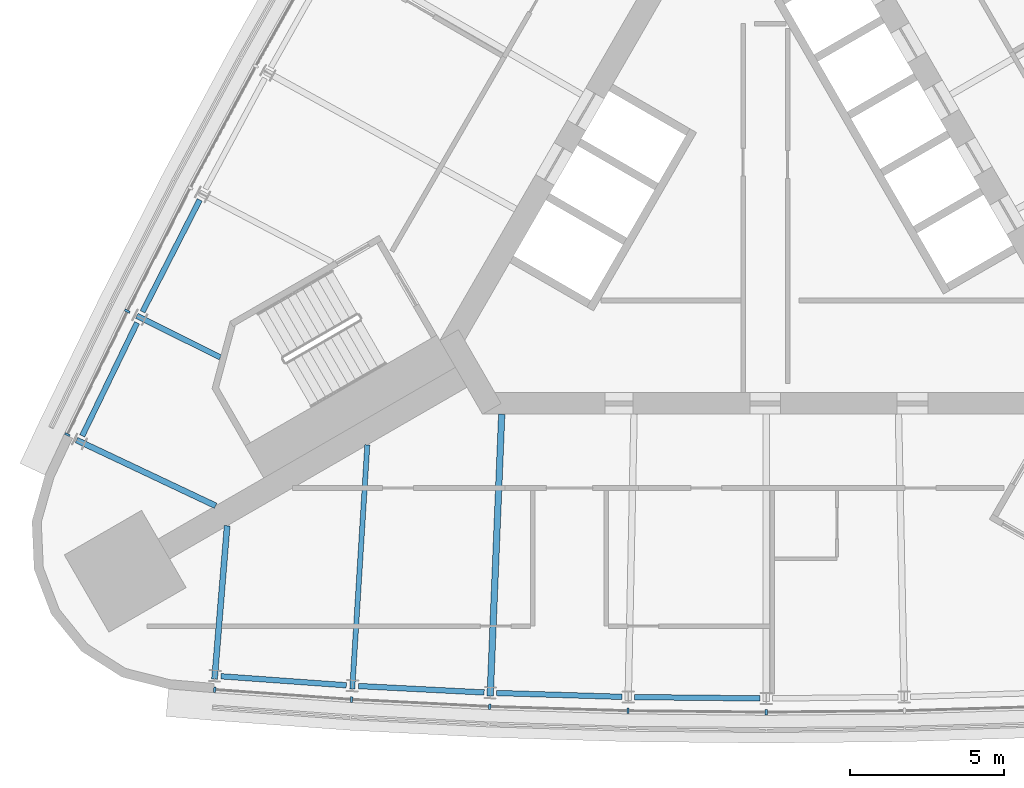
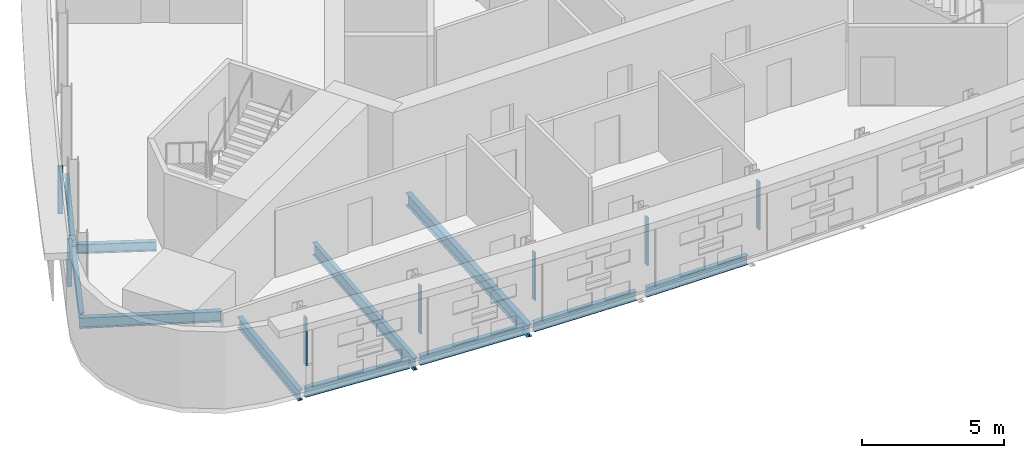
# One storey, part 2 of 13: 11 beams, 7 members, 2 elements without a shape of their own.
"""IFC4 building model written with IfcOpenShell, lengths in metres."""

from ifc_helpers import new_model, si_unit, direction, frame, origin, origin_2d, place, context, subcontext, project, spatial, rectangle, i_section, extrude, material, material_profile, profile_set, type_object, element, aggregate, save


model = new_model("IFC4")

# Units and contexts
model_context = context("Model", 3, precision=1e-05, world=origin(), true_north=direction((0.0, 1.0)))
body_context = subcontext(model_context, "Body", "Model", "MODEL_VIEW")
ifc_project = project(units=[si_unit("LENGTHUNIT", "METRE"), si_unit("AREAUNIT", "SQUARE_METRE"), si_unit("VOLUMEUNIT", "CUBIC_METRE"), si_unit("PLANEANGLEUNIT", "RADIAN"), si_unit("MASSUNIT", "GRAM", prefix="KILO")], contexts=[model_context])

# Site, building, storey
site_placement = place(None, origin())
site = spatial("IfcSite", under=ifc_project, at=site_placement, CompositionType="ELEMENT")
building_placement = place(site_placement, origin())
building = spatial("IfcBuilding", under=site, at=building_placement, Name="Noor Cloister Tower", CompositionType="ELEMENT")
storey_placement = place(building_placement, frame((0.0, 0.0, 143.699951171875)))
storey = spatial("IfcBuildingStorey", under=building, at=storey_placement, Name="L36", CompositionType="ELEMENT", Elevation=143.699951171875)

# Curtain wall, members
ifc_material_1 = material(Name="Aluminium 6063-T6 anodised", Category="aluminium")
curtain_wall_type = type_object("IfcCurtainWallType", Name="Ribbon curtain wall, upper tower CW5", PredefinedType="NOTDEFINED", material=ifc_material_1)
curtain_wall_1_placement = place(storey_placement, origin())
curtain_wall_1 = element("IfcCurtainWall", 1, at=curtain_wall_1_placement, inside=storey, type_object=curtain_wall_type, Name="CW5 L36 NW run 1", PredefinedType="NOTDEFINED")
ifc_material_2 = material(Name="Aluminium 6063-T6 anodised", Category="aluminium")
ifc_material_profile_1 = material_profile(ifc_material_2, rectangle(XDim=0.179931640625, YDim=0.070068359375, at=origin_2d()), Name="180 x 70 mullion")
ifc_profile_set_1 = profile_set([ifc_material_profile_1], Name="Aluminium 6063-T6 anodised")
member_type = type_object("IfcMemberType", Name="Mullion CW5 70 x 180", PredefinedType="MULLION", material=ifc_profile_set_1)
member_1_placement = place(storey_placement, frame((-20.77880859375, -3.57470703125, 1.10009765625), z_axis=(0.0, 0.0, 1.0), x_axis=(0.895123310211, -0.445818639714, 0.0)))
member_1 = element("IfcMember", 2, at=member_1_placement, type_object=member_type, Name="CW5 mullion 8", PredefinedType="MULLION", context=body_context, shape_type="SweptSolid", body=[
    extrude(rectangle(XDim=0.179931640625, YDim=0.070068359375, at=origin_2d()), origin(), (0.0, 0.0, 1.0), 2.050048828125),
])
member_2_placement = place(storey_placement, frame((-22.72802734375, -7.5908203125, 1.10009765625), z_axis=(0.0, 0.0, 1.0), x_axis=(0.899646590882, -0.436618840081, 0.0)))
member_2 = element("IfcMember", 3, at=member_2_placement, type_object=member_type, Name="CW5 mullion 9", PredefinedType="MULLION", context=body_context, shape_type="SweptSolid", body=[
    extrude(rectangle(XDim=0.179931640625, YDim=0.070068359375, at=origin_2d()), origin(), (0.0, 0.0, 1.0), 2.050048828125),
])
aggregate(curtain_wall_1, [member_1, member_2])

curtain_wall_2_placement = place(storey_placement, origin())
curtain_wall_2 = element("IfcCurtainWall", 4, at=curtain_wall_2_placement, inside=storey, type_object=curtain_wall_type, Name="CW5 L36 S run 2", PredefinedType="NOTDEFINED")
member_3_placement = place(storey_placement, frame((-17.937744140625, -15.8876953125, 1.10009765625), z_axis=(0.0, 0.0, 1.0), x_axis=(0.07170028816, 0.997426222173, 0.0)))
member_3 = element("IfcMember", 5, at=member_3_placement, type_object=member_type, Name="CW5 mullion 1", PredefinedType="MULLION", context=body_context, shape_type="SweptSolid", body=[
    extrude(rectangle(XDim=0.179931640625, YDim=0.070068359375, at=origin_2d()), origin(), (0.0, 0.0, 1.0), 2.050048828125),
])
member_4_placement = place(storey_placement, frame((-13.4853515625, -16.20751953125, 1.10009765625), z_axis=(0.0, 0.0, 1.0), x_axis=(0.061471387632, 0.99810884602, 0.0)))
member_4 = element("IfcMember", 6, at=member_4_placement, type_object=member_type, Name="CW5 mullion 2", PredefinedType="MULLION", context=body_context, shape_type="SweptSolid", body=[
    extrude(rectangle(XDim=0.179931640625, YDim=0.070068359375, at=origin_2d()), origin(), (0.0, 0.0, 1.0), 2.050048828125),
])
member_5_placement = place(storey_placement, frame((-8.993408203125, -16.43798828125, 1.10009765625), z_axis=(0.0, 0.0, 1.0), x_axis=(0.040995281015, 0.999159340113, 0.0)))
member_5 = element("IfcMember", 7, at=member_5_placement, type_object=member_type, Name="CW5 mullion 3", PredefinedType="MULLION", context=body_context, shape_type="SweptSolid", body=[
    extrude(rectangle(XDim=0.179931640625, YDim=0.070068359375, at=origin_2d()), origin(), (0.0, 0.0, 1.0), 2.050048828125),
])
member_6_placement = place(storey_placement, frame((-4.49755859375, -16.576416015625, 1.10009765625), z_axis=(0.0, 0.0, 1.0), x_axis=(0.020501958477, 0.99978981276, 0.0)))
member_6 = element("IfcMember", 8, at=member_6_placement, type_object=member_type, Name="CW5 mullion 4", PredefinedType="MULLION", context=body_context, shape_type="SweptSolid", body=[
    extrude(rectangle(XDim=0.179931640625, YDim=0.070068359375, at=origin_2d()), origin(), (0.0, 0.0, 1.0), 2.050048828125),
])
member_7_placement = place(storey_placement, frame((0.0, -16.62255859375, 1.10009765625), z_axis=(0.0, 0.0, 1.0), x_axis=(0.0, 1.0, 0.0)))
member_7 = element("IfcMember", 9, at=member_7_placement, type_object=member_type, Name="CW5 mullion 5", PredefinedType="MULLION", context=body_context, shape_type="SweptSolid", body=[
    extrude(rectangle(XDim=0.179931640625, YDim=0.070068359375, at=origin_2d()), origin(), (0.0, 0.0, 1.0), 2.050048828125),
])
aggregate(curtain_wall_2, [member_3, member_4, member_5, member_6, member_7])

# Beams
ifc_material_3 = material(Name="Steel ASTM A992 Gr 50", Category="steel")
ifc_material_profile_2 = material_profile(ifc_material_3, i_section(OverallWidth=0.177978515625, OverallDepth=0.406005859375, WebThickness=0.0078125, FlangeThickness=0.0126953125, FilletRadius=0.01025390625, at=origin_2d()), Name="W410x60")
ifc_profile_set_2 = profile_set([ifc_material_profile_2], Name="Steel ASTM A992 Gr 50")
beam_type_1 = type_object("IfcBeamType", Name="Radial beam W410x60", PredefinedType="BEAM", material=ifc_profile_set_2)
beam_1_placement = place(storey_placement, frame((-20.471923828125, -3.727783203125, -0.40283203125), z_axis=(0.895133560112, -0.445798059172, 0.0), x_axis=(0.445798059172, 0.895133560112, 0.0)))
element("IfcBeam", 10, at=beam_1_placement, inside=storey, type_object=beam_type_1, Name="Radial beam NW 08 L36", PredefinedType="BEAM", context=body_context, shape_type="SweptSolid", body=[
    extrude(i_section(OverallWidth=0.177978515625, OverallDepth=0.406005859375, WebThickness=0.0078125, FlangeThickness=0.0126953125, FilletRadius=0.01025390625, at=origin_2d()), origin(), (0.0, 0.0, 1.0), 3.03662109375),
])
ifc_material_4 = material(Name="Steel ASTM A992 Gr 50", Category="steel")
ifc_material_profile_3 = material_profile(ifc_material_4, i_section(OverallWidth=0.19091796875, OverallDepth=0.45703125, WebThickness=0.009033203125, FlangeThickness=0.014404296875, FilletRadius=0.01025390625, at=origin_2d()), Name="W460x74")
ifc_profile_set_3 = profile_set([ifc_material_profile_3], Name="Steel ASTM A992 Gr 50")
beam_type_2 = type_object("IfcBeamType", Name="Radial beam W460x74", PredefinedType="BEAM", material=ifc_profile_set_3)
for number, where, z_axis, x_axis, name in (
    (11, (-22.4326171875, -7.767822265625, -0.428466796875), (0.90406541137, -0.427394117841, 0.0), (0.427394117841, 0.90406541137, 0.0), "Radial beam NW 09 L36"),
    (12, (-17.943603515625, -15.543212890625, -0.428466796875), (0.081918876105, 0.996639000711, 0.0), (-0.996639000711, 0.081918876105, 0.0), "Radial beam S 01 L36"),
):
    element("IfcBeam", number, at=place(storey_placement, frame(where, z_axis=z_axis, x_axis=x_axis)), inside=storey, type_object=beam_type_2, Name=name, PredefinedType="BEAM", context=body_context, shape_type="SweptSolid", body=[
        extrude(i_section(OverallWidth=0.19091796875, OverallDepth=0.45703125, WebThickness=0.009033203125, FlangeThickness=0.014404296875, FilletRadius=0.01025390625, at=origin_2d()), origin(), (0.0, 0.0, 1.0), 5.00390625),
    ])
ifc_material_5 = material(Name="Steel ASTM A992 Gr 50", Category="steel")
ifc_material_profile_4 = material_profile(ifc_material_5, i_section(OverallWidth=0.166015625, OverallDepth=0.528076171875, WebThickness=0.009765625, FlangeThickness=0.013671875, FilletRadius=0.0126953125, at=origin_2d()), Name="W530x74")
ifc_profile_set_4 = profile_set([ifc_material_profile_4], Name="Steel ASTM A992 Gr 50")
beam_type_3 = type_object("IfcBeamType", Name="Radial beam W530x74", PredefinedType="BEAM", material=ifc_profile_set_4)
beam_2_placement = place(storey_placement, frame((-13.46435546875, -15.865234375, -0.4638671875), z_axis=(0.061495638374, 0.998107352173, 0.0), x_axis=(-0.998107352173, 0.061495638374, 0.0)))
element("IfcBeam", 13, at=beam_2_placement, inside=storey, type_object=beam_type_3, Name="Radial beam S 02 L36", PredefinedType="BEAM", context=body_context, shape_type="SweptSolid", body=[
    extrude(i_section(OverallWidth=0.166015625, OverallDepth=0.528076171875, WebThickness=0.009765625, FlangeThickness=0.013671875, FilletRadius=0.0126953125, at=origin_2d()), origin(), (0.0, 0.0, 1.0), 7.9560546875),
])
ifc_material_6 = material(Name="Steel ASTM A992 Gr 50", Category="steel")
ifc_material_profile_5 = material_profile(ifc_material_6, i_section(OverallWidth=0.208984375, OverallDepth=0.532958984375, WebThickness=0.01025390625, FlangeThickness=0.015625, FilletRadius=0.0126953125, at=origin_2d()), Name="W530x92")
ifc_profile_set_5 = profile_set([ifc_material_profile_5], Name="Steel ASTM A992 Gr 50")
beam_type_4 = type_object("IfcBeamType", Name="Radial beam W530x92", PredefinedType="BEAM", material=ifc_profile_set_5)
beam_3_placement = place(storey_placement, frame((-8.979248046875, -16.095458984375, -0.466552734375), z_axis=(0.040978626219, 0.999160023316, 0.0), x_axis=(-0.999160023316, 0.040978626219, 0.0)))
element("IfcBeam", 14, at=beam_3_placement, inside=storey, type_object=beam_type_4, Name="Radial beam S 03 L36", PredefinedType="BEAM", context=body_context, shape_type="SweptSolid", body=[
    extrude(i_section(OverallWidth=0.208984375, OverallDepth=0.532958984375, WebThickness=0.01025390625, FlangeThickness=0.015625, FilletRadius=0.0126953125, at=origin_2d()), origin(), (0.0, 0.0, 1.0), 9.175048828125),
])
ifc_material_7 = material(Name="Steel ASTM A992 Gr 50", Category="steel")
ifc_material_profile_6 = material_profile(ifc_material_7, i_section(OverallWidth=0.177978515625, OverallDepth=0.406005859375, WebThickness=0.0078125, FlangeThickness=0.0126953125, FilletRadius=0.01025390625, at=origin_2d()), Name="W410x60")
ifc_profile_set_6 = profile_set([ifc_material_profile_6], Name="Steel ASTM A992 Gr 50")
beam_type_5 = type_object("IfcBeamType", Name="Spandrel beam W410x60", PredefinedType="SPANDREL", material=ifc_profile_set_6)
beam_4_placement = place(storey_placement, frame((-18.424560546875, 0.0439453125, -0.40283203125), z_axis=(-0.455004823402, -0.890488972801, 0.0), x_axis=(0.890488972801, -0.455004823402, 0.0)))
element("IfcBeam", 15, at=beam_4_placement, inside=storey, type_object=beam_type_5, Name="Spandrel beam NW 07 L36", PredefinedType="SPANDREL", context=body_context, shape_type="SweptSolid", body=[
    extrude(i_section(OverallWidth=0.177978515625, OverallDepth=0.406005859375, WebThickness=0.0078125, FlangeThickness=0.0126953125, FilletRadius=0.01025390625, at=origin_2d()), origin(), (0.0, 0.0, 1.0), 4.089599609375),
])
beam_5_placement = place(storey_placement, frame((-20.463134765625, -3.954833984375, -0.40283203125), z_axis=(-0.436604481066, -0.899653559495, 0.0), x_axis=(0.899653559495, -0.436604481066, 0.0)))
element("IfcBeam", 16, at=beam_5_placement, inside=storey, type_object=beam_type_5, Name="Spandrel beam NW 08 L36", PredefinedType="SPANDREL", context=body_context, shape_type="SweptSolid", body=[
    extrude(i_section(OverallWidth=0.177978515625, OverallDepth=0.406005859375, WebThickness=0.0078125, FlangeThickness=0.0126953125, FilletRadius=0.01025390625, at=origin_2d()), origin(), (0.0, 0.0, 1.0), 4.08984375),
])
beam_6_placement = place(storey_placement, frame((-17.73583984375, -15.450927734375, -0.40283203125), z_axis=(0.997426476939, -0.071696744003, 0.0), x_axis=(0.071696744003, 0.997426476939, 0.0)))
element("IfcBeam", 17, at=beam_6_placement, inside=storey, type_object=beam_type_5, Name="Spandrel beam S 01 L36", PredefinedType="SPANDREL", context=body_context, shape_type="SweptSolid", body=[
    extrude(i_section(OverallWidth=0.177978515625, OverallDepth=0.406005859375, WebThickness=0.0078125, FlangeThickness=0.0126953125, FilletRadius=0.01025390625, at=origin_2d()), origin(), (0.0, 0.0, 1.0), 4.089599609375),
])
for number, where, z_axis, x_axis, name in (
    (18, (-13.258544921875, -15.768798828125, -0.40283203125), (0.998687506896, -0.051217805195, 0.0), (0.051217805195, 0.998687506896, 0.0), "Spandrel beam S 02 L36"),
    (19, (-8.775634765625, -15.99462890625, -0.40283203125), (0.99952733001, -0.030742748146, 0.0), (0.030742748146, 0.99952733001, 0.0), "Spandrel beam S 03 L36"),
):
    element("IfcBeam", number, at=place(storey_placement, frame(where, z_axis=z_axis, x_axis=x_axis)), inside=storey, type_object=beam_type_5, Name=name, PredefinedType="SPANDREL", context=body_context, shape_type="SweptSolid", body=[
        extrude(i_section(OverallWidth=0.177978515625, OverallDepth=0.406005859375, WebThickness=0.0078125, FlangeThickness=0.0126953125, FilletRadius=0.01025390625, at=origin_2d()), origin(), (0.0, 0.0, 1.0), 4.08984375),
    ])
beam_7_placement = place(storey_placement, frame((-4.288818359375, -16.128662109375, -0.40283203125), z_axis=(0.99994789269, -0.010208423263, 0.0), x_axis=(0.010208423263, 0.99994789269, 0.0)))
element("IfcBeam", 20, at=beam_7_placement, inside=storey, type_object=beam_type_5, Name="Spandrel beam S 04 L36", PredefinedType="SPANDREL", context=body_context, shape_type="SweptSolid", body=[
    extrude(i_section(OverallWidth=0.177978515625, OverallDepth=0.406005859375, WebThickness=0.0078125, FlangeThickness=0.0126953125, FilletRadius=0.01025390625, at=origin_2d()), origin(), (0.0, 0.0, 1.0), 4.089599609375),
])

save(model, "model.ifc")
